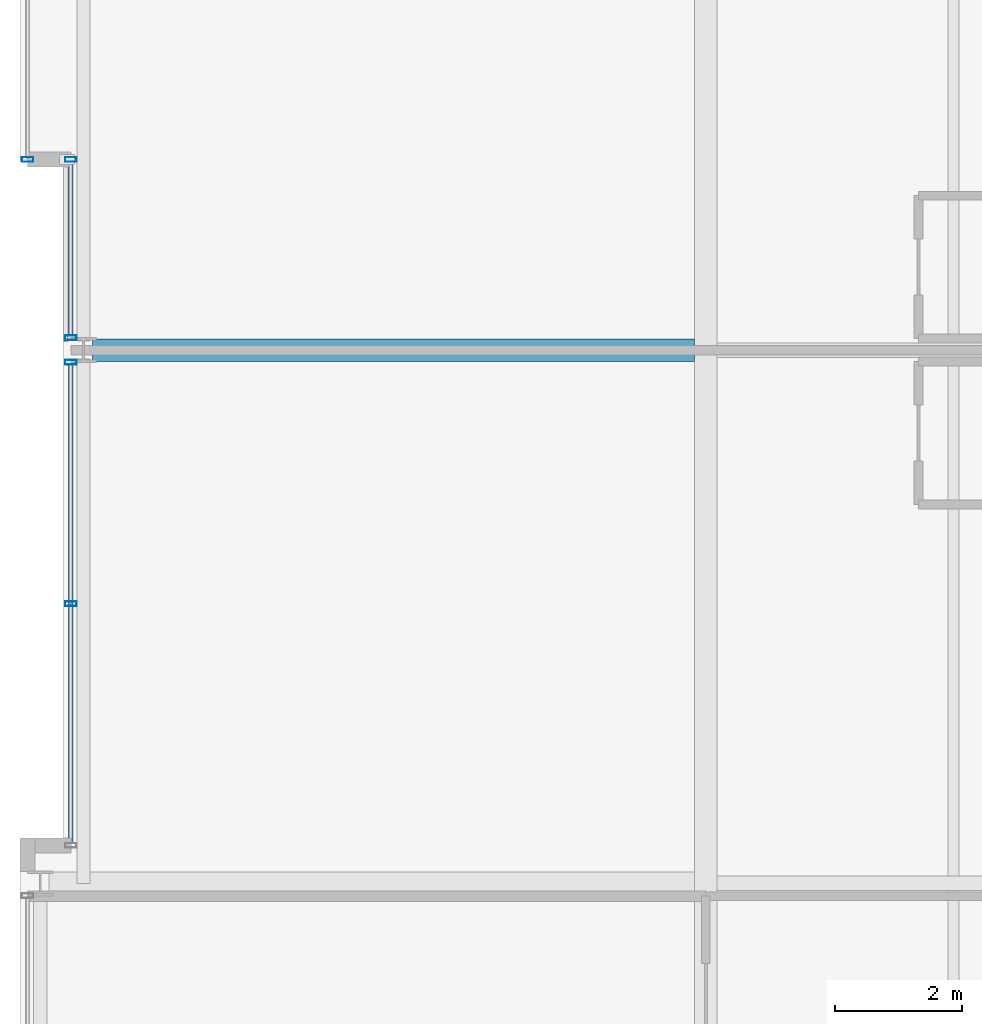
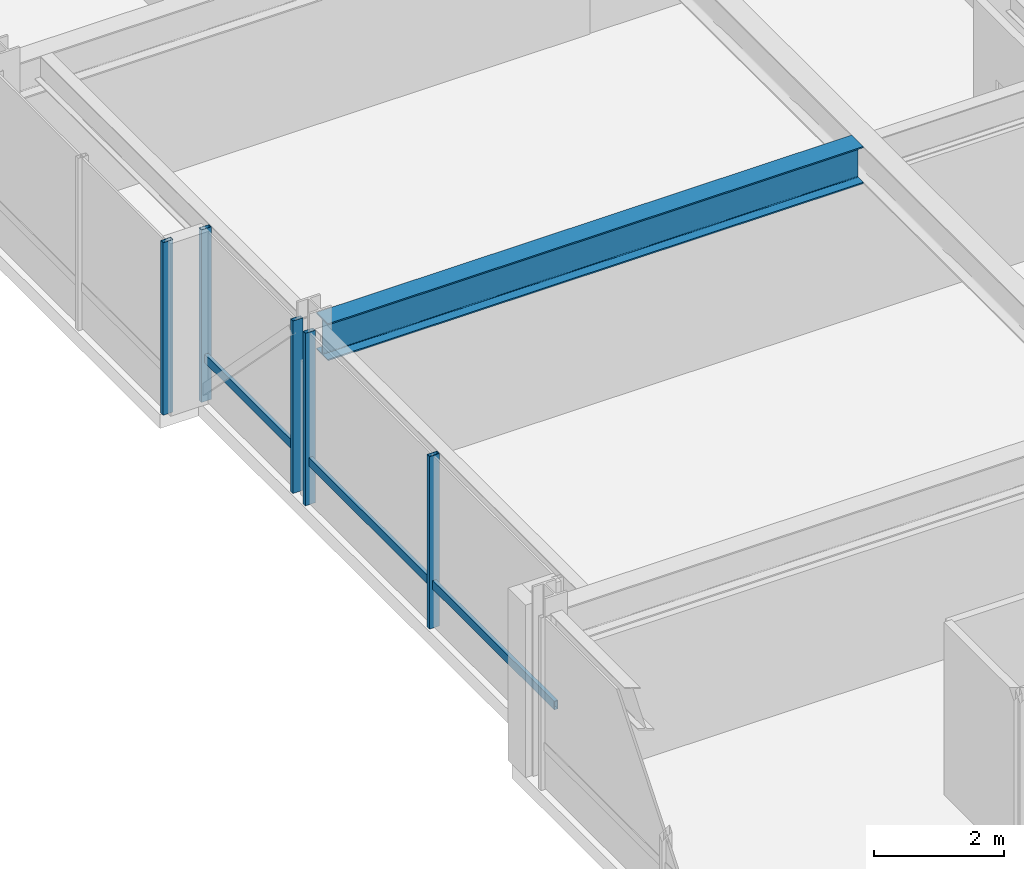
# One storey, part 9 of 33: 7 members, 1 beam, 3 elements without a shape of their own.
"""IFC4 building model written with IfcOpenShell, lengths in metres."""

from ifc_helpers import new_model, si_unit, direction, frame, origin, origin_2d, place, context, subcontext, project, spatial, hollow_rectangle, i_section, extrude, material, layer, layer_set, material_profile, profile_set, type_object, element, aggregate, save


model = new_model("IFC4")

# Units and contexts
model_context = context("Model", 3, precision=1e-05, world=origin(), true_north=direction((0.0, 1.0)))
body_context = subcontext(model_context, "Body", "Model", "MODEL_VIEW")
ifc_project = project(units=[si_unit("LENGTHUNIT", "METRE"), si_unit("AREAUNIT", "SQUARE_METRE"), si_unit("VOLUMEUNIT", "CUBIC_METRE"), si_unit("PLANEANGLEUNIT", "RADIAN"), si_unit("MASSUNIT", "GRAM", prefix="KILO")], contexts=[model_context])

# Site, building, storey
site_placement = place(None, origin())
site = spatial("IfcSite", under=ifc_project, at=site_placement, CompositionType="ELEMENT")
building_placement = place(site_placement, origin())
building = spatial("IfcBuilding", under=site, at=building_placement, Name="Drelvath Grand Hotel", CompositionType="ELEMENT")
storey_placement = place(building_placement, frame((0.0, 0.0, 196.550048828125)))
storey = spatial("IfcBuildingStorey", under=building, at=storey_placement, Name="L51", CompositionType="ELEMENT", Elevation=196.550048828125)

# Curtain wall, member
ifc_material_1 = material(Name="Brushed Pale-Silver Anodised Aluminium Frame", Category="aluminium")
ifc_layer = layer(ifc_material_1, 0.199951171875)
ifc_layer_set = layer_set([ifc_layer], Name="Brushed Pale-Silver Anodised Aluminium Frame")
curtain_wall_type = type_object("IfcCurtainWallType", Name="Stick Curtain Wall CW-04 Brushed Silver Upper-Mid", PredefinedType="NOTDEFINED", material=ifc_layer_set)
curtain_wall_1_placement = place(storey_placement, origin())
curtain_wall_1 = element("IfcCurtainWall", 1, at=curtain_wall_1_placement, inside=storey, type_object=curtain_wall_type, Name="L51 CW-04 Curtain Wall CW04-L51-WM1", PredefinedType="NOTDEFINED")
ifc_material_profile_1 = material_profile(ifc_material_1, hollow_rectangle(XDim=0.06494140625, YDim=0.159912109375, WallThickness=0.00390625, at=origin_2d()), Name="HSS160X65X4")
ifc_profile_set_1 = profile_set([ifc_material_profile_1], Name="Brushed Pale-Silver Anodised Aluminium Frame")
member_type_1 = type_object("IfcMemberType", Name="Curtain Wall Horizontal Transom CW-04 HSS160X65X4", PredefinedType="USERDEFINED", material=ifc_profile_set_1)
member_1_placement = place(storey_placement, frame((-26.199951171875, 19.239990234375, 0.807373046875), z_axis=(0.0, 1.0, 0.0), x_axis=(-1.0, 0.0, 0.0)))
member_1 = element("IfcMember", 2, at=member_1_placement, type_object=member_type_1, Name="CW04-L51-WM1 Sill Transom", ObjectType="TRANSOM", PredefinedType="USERDEFINED", context=body_context, shape_type="SweptSolid", body=[
    extrude(hollow_rectangle(XDim=0.06494140625, YDim=0.159912109375, WallThickness=0.00390625, at=origin_2d()), origin(), (0.0, 0.0, 1.0), 7.5283203125),
])

curtain_wall_2_placement = place(storey_placement, origin())
curtain_wall_2 = element("IfcCurtainWall", 3, at=curtain_wall_2_placement, inside=storey, type_object=curtain_wall_type, Name="L51 CW-04 Curtain Wall CW04-L51-WM2", PredefinedType="NOTDEFINED")
member_2_placement = place(storey_placement, frame((-26.199951171875, 27.231689453125, 0.807373046875), z_axis=(0.0, 1.0, 0.0), x_axis=(-1.0, 0.0, 0.0)))
member_2 = element("IfcMember", 4, at=member_2_placement, type_object=member_type_1, Name="CW04-L51-WM2 Sill Transom", ObjectType="TRANSOM", PredefinedType="USERDEFINED", context=body_context, shape_type="SweptSolid", body=[
    extrude(hollow_rectangle(XDim=0.06494140625, YDim=0.159912109375, WallThickness=0.00390625, at=origin_2d()), origin(), (0.0, 0.0, 1.0), 2.728271484375),
])

# Member
ifc_material_profile_2 = material_profile(ifc_material_1, hollow_rectangle(XDim=0.074951171875, YDim=0.179931640625, WallThickness=0.0048828125, at=origin_2d()), Name="HSS180X75X5")
ifc_profile_set_2 = profile_set([ifc_material_profile_2], Name="Brushed Pale-Silver Anodised Aluminium Frame")
member_type_2 = type_object("IfcMemberType", Name="Curtain Wall Vertical Mullion CW-04 HSS180X75X5", PredefinedType="MULLION", material=ifc_profile_set_2)
member_3_placement = place(storey_placement, frame((-26.199951171875, 23.004150390625, 0.0), z_axis=(0.0, 0.0, 1.0), x_axis=(0.0, 1.0, 0.0)))
member_3 = element("IfcMember", 5, at=member_3_placement, type_object=member_type_2, Name="CW04-L51-WM1 Mullion 2", PredefinedType="MULLION", context=body_context, shape_type="SweptSolid", body=[
    extrude(hollow_rectangle(XDim=0.074951171875, YDim=0.179931640625, WallThickness=0.0048828125, at=origin_2d()), origin(), (0.0, 0.0, 1.0), 3.22998046875),
])

member_4_placement = place(storey_placement, frame((-26.199951171875, 26.808349609375, 0.0), z_axis=(0.0, 0.0, 1.0), x_axis=(0.0, 1.0, 0.0)))
member_4 = element("IfcMember", 6, at=member_4_placement, type_object=member_type_2, Name="CW04-L51-WM1 Mullion 3", PredefinedType="MULLION", context=body_context, shape_type="SweptSolid", body=[
    extrude(hollow_rectangle(XDim=0.074951171875, YDim=0.179931640625, WallThickness=0.0048828125, at=origin_2d()), origin(), (0.0, 0.0, 1.0), 3.22998046875),
])

aggregate(curtain_wall_1, [member_3, member_4, member_1])

member_5_placement = place(storey_placement, frame((-26.199951171875, 27.191650390625, 0.0), z_axis=(0.0, 0.0, 1.0), x_axis=(0.0, 1.0, 0.0)))
member_5 = element("IfcMember", 7, at=member_5_placement, type_object=member_type_2, Name="CW04-L51-WM2 Mullion 1", PredefinedType="MULLION", context=body_context, shape_type="SweptSolid", body=[
    extrude(hollow_rectangle(XDim=0.074951171875, YDim=0.179931640625, WallThickness=0.0048828125, at=origin_2d()), origin(), (0.0, 0.0, 1.0), 3.22998046875),
])

member_6_placement = place(storey_placement, frame((-26.199951171875, 30.0, 0.0), z_axis=(0.0, 0.0, 1.0), x_axis=(0.0, 1.0, 0.0)))
member_6 = element("IfcMember", 8, at=member_6_placement, type_object=member_type_2, Name="CW04-L51-WM2 Mullion 2", PredefinedType="MULLION", context=body_context, shape_type="SweptSolid", body=[
    extrude(hollow_rectangle(XDim=0.074951171875, YDim=0.179931640625, WallThickness=0.0048828125, at=origin_2d()), origin(), (0.0, 0.0, 1.0), 3.22998046875),
])

aggregate(curtain_wall_2, [member_5, member_6, member_2])

# Curtain wall, member
curtain_wall_3_placement = place(storey_placement, origin())
curtain_wall_3 = element("IfcCurtainWall", 9, at=curtain_wall_3_placement, inside=storey, type_object=curtain_wall_type, Name="L51 CW-04 Curtain Wall CW04-L51-WN1", PredefinedType="NOTDEFINED")
member_7_placement = place(storey_placement, frame((-26.8798828125, 30.0, 0.0), z_axis=(0.0, 0.0, 1.0), x_axis=(0.0, 1.0, 0.0)))
member_7 = element("IfcMember", 10, at=member_7_placement, type_object=member_type_2, Name="CW04-L51-WN1 Mullion 1", PredefinedType="MULLION", context=body_context, shape_type="SweptSolid", body=[
    extrude(hollow_rectangle(XDim=0.074951171875, YDim=0.179931640625, WallThickness=0.0048828125, at=origin_2d()), origin(), (0.0, 0.0, 1.0), 3.22998046875),
])
aggregate(curtain_wall_3, [member_7])

# Beam
ifc_material_2 = material(Name="Steel ASTM A992 Gr 50", Category="steel")
ifc_material_profile_3 = material_profile(ifc_material_2, i_section(OverallWidth=0.354736328125, OverallDepth=0.695556640625, WebThickness=0.015380859375, FlangeThickness=0.025146484375, FilletRadius=0.02392578125, at=origin_2d()), Name="W27X146")
ifc_profile_set_3 = profile_set([ifc_material_profile_3], Name="Steel ASTM A992 Gr 50")
beam_type = type_object("IfcBeamType", Name="Primary Floor Girder W27X146", PredefinedType="BEAM", material=ifc_profile_set_3)
beam_placement = place(storey_placement, frame((-25.860107421875, 27.0, 2.88232421875), z_axis=(1.0, 0.0, 0.0), x_axis=(0.0, 1.0, 0.0)))
element("IfcBeam", 11, at=beam_placement, inside=storey, type_object=beam_type, Name="L51 West Wing Girder E", PredefinedType="BEAM", context=body_context, shape_type="SweptSolid", body=[
    extrude(i_section(OverallWidth=0.354736328125, OverallDepth=0.695556640625, WebThickness=0.015380859375, FlangeThickness=0.025146484375, FilletRadius=0.02392578125, at=origin_2d()), origin(), (0.0, 0.0, 1.0), 9.482666015625),
])

save(model, "model.ifc")
